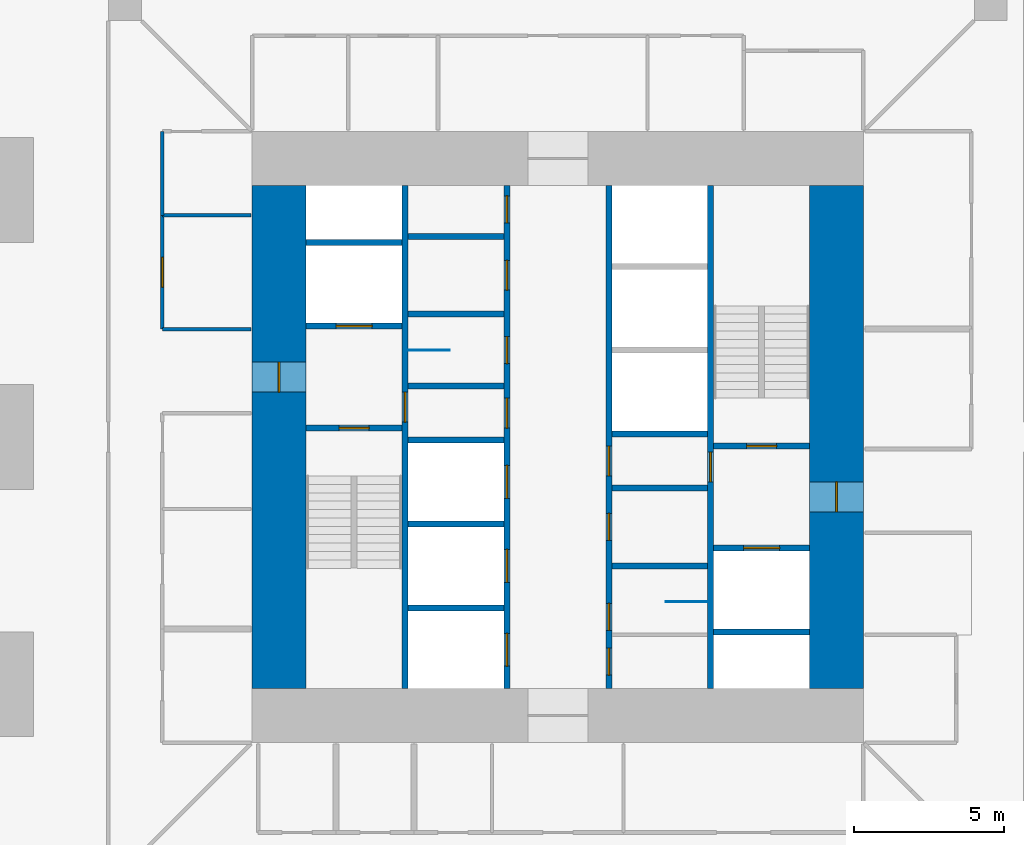
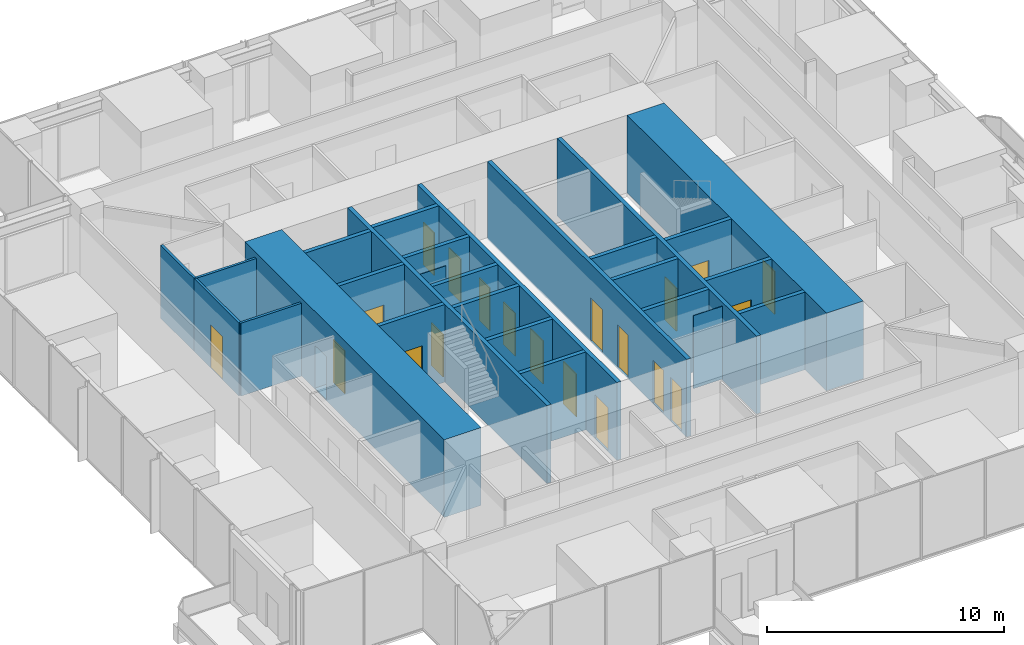
# One storey, part 12 of 17: 27 walls, 20 doors, 20 openings.
"""IFC4 building model written with IfcOpenShell, lengths in metres."""

from ifc_helpers import new_model, si_unit, direction, frame, frame_2d, origin, place, context, subcontext, project, spatial, rectangle, extrude, material, layer, layer_set, type_object, element, fill, save


model = new_model("IFC4")

# Units and contexts
model_context = context("Model", 3, precision=1e-05, world=origin(), true_north=direction((0.0, 1.0)))
body_context = subcontext(model_context, "Body", "Model", "MODEL_VIEW")
ifc_project = project(units=[si_unit("LENGTHUNIT", "METRE"), si_unit("AREAUNIT", "SQUARE_METRE"), si_unit("VOLUMEUNIT", "CUBIC_METRE"), si_unit("PLANEANGLEUNIT", "RADIAN"), si_unit("MASSUNIT", "GRAM", prefix="KILO")], contexts=[model_context])

# Site, building, storey
site_placement = place(None, origin())
site = spatial("IfcSite", under=ifc_project, at=site_placement, CompositionType="ELEMENT")
building_placement = place(site_placement, origin())
building = spatial("IfcBuilding", under=site, at=building_placement, Name="Svetlomir Tower", CompositionType="ELEMENT")
storey_placement = place(building_placement, frame((0.0, 0.0, 62.5)))
storey = spatial("IfcBuildingStorey", under=building, at=storey_placement, Name="L14", CompositionType="ELEMENT", Elevation=62.5)

# Wall, opening, door
ifc_material_1 = material(Name="Concrete C60/75", Category="concrete")
ifc_layer_1 = layer(ifc_material_1, 0.199951171875)
ifc_layer_set_1 = layer_set([ifc_layer_1], Name="Concrete C60/75")
wall_type_1 = type_object("IfcWallType", Name="CORE INNER WALL 200", PredefinedType="SHEAR", material=ifc_layer_set_1)
wall_1_placement = place(storey_placement, frame((15.89990234375, 12.60009765625, -0.050048828125), z_axis=(0.0, 0.0, 1.0), x_axis=(0.0, 1.0, 0.0)))
wall_1 = element("IfcWall", 1, at=wall_1_placement, inside=storey, type_object=wall_type_1, Name="Core inner wall 15.9 L14", PredefinedType="SHEAR", context=body_context, shape_type="SweptSolid", body=[
    extrude(rectangle(XDim=16.7998046875, YDim=0.199951171875, at=frame_2d((8.39990234375, 0.0))), origin(), (0.0, 0.0, 1.0), 4.0),
])
opening_1_placement = place(wall_1_placement, frame((8.89990234375, 0.0, 0.050048828125)))
opening_1 = element("IfcOpeningElement", 2, at=opening_1_placement, cuts=wall_1, Name="Opening DF", PredefinedType="OPENING", context=body_context, shape_type="SweptSolid", body=[
    extrude(rectangle(XDim=1.0, YDim=2.199951171875, at=frame_2d((0.5, 1.10009765625))), frame((0.0, 0.10986328125, 0.0), z_axis=(0.0, -1.0, 0.0), x_axis=(1.0, 0.0, 0.0)), (0.0, 0.0, 1.0), 0.219970703125),
])
ifc_material_2 = material(Name="Steel fire door", Category="steel")
door_type_1 = type_object("IfcDoorType", Name="DOOR DF 1000x2200", OperationType="SINGLE_SWING_LEFT", PredefinedType="DOOR", material=ifc_material_2)
door_1_placement = place(opening_1_placement, origin())
door_1 = element("IfcDoor", 3, at=door_1_placement, inside=storey, type_object=door_type_1, Name="Core corridor west door L14", OperationType="SINGLE_SWING_LEFT", OverallHeight=2.199951171875, OverallWidth=1.0, PredefinedType="DOOR", context=body_context, shape_type="SweptSolid", body=[
    extrude(rectangle(XDim=1.0, YDim=2.199951171875, at=frame_2d((0.5, 1.10009765625))), frame((0.0, 0.02490234375, 0.0), z_axis=(0.0, -1.0, 0.0), x_axis=(1.0, 0.0, 0.0)), (0.0, 0.0, 1.0), 0.050048828125),
])
fill(opening_1, door_1)

# Wall, openings, doors
wall_2_placement = place(storey_placement, frame((19.300048828125, 12.60009765625, -0.050048828125), z_axis=(0.0, 0.0, 1.0), x_axis=(0.0, 1.0, 0.0)))
wall_2 = element("IfcWall", 4, at=wall_2_placement, inside=storey, type_object=wall_type_1, Name="Core inner wall 19.3 L14", PredefinedType="SHEAR", context=body_context, shape_type="SweptSolid", body=[
    extrude(rectangle(XDim=16.7998046875, YDim=0.199951171875, at=frame_2d((8.39990234375, 0.0))), origin(), (0.0, 0.0, 1.0), 4.0),
])
opening_2_placement = place(wall_2_placement, frame((8.699951171875, 0.0, 0.050048828125)))
opening_2 = element("IfcOpeningElement", 5, at=opening_2_placement, cuts=wall_2, Name="Opening DC", PredefinedType="OPENING", context=body_context, shape_type="SweptSolid", body=[
    extrude(rectangle(XDim=1.0, YDim=2.199951171875, at=frame_2d((0.5, 1.10009765625))), frame((0.0, 0.10986328125, 0.0), z_axis=(0.0, -1.0, 0.0), x_axis=(1.0, 0.0, 0.0)), (0.0, 0.0, 1.0), 0.219970703125),
])
opening_3_placement = place(wall_2_placement, frame((10.85009765625, 0.0, 0.050048828125)))
opening_3 = element("IfcOpeningElement", 6, at=opening_3_placement, cuts=wall_2, Name="Opening DW", PredefinedType="OPENING", context=body_context, shape_type="SweptSolid", body=[
    extrude(rectangle(XDim=0.89990234375, YDim=2.199951171875, at=frame_2d((0.449951171875, 1.10009765625))), frame((0.0, 0.10986328125, 0.0), z_axis=(0.0, -1.0, 0.0), x_axis=(1.0, 0.0, 0.0)), (0.0, 0.0, 1.0), 0.219970703125),
])
opening_4_placement = place(wall_2_placement, frame((13.300048828125, 0.0, 0.050048828125)))
opening_4 = element("IfcOpeningElement", 7, at=opening_4_placement, cuts=wall_2, Name="Opening DC", PredefinedType="OPENING", context=body_context, shape_type="SweptSolid", body=[
    extrude(rectangle(XDim=1.0, YDim=2.199951171875, at=frame_2d((0.5, 1.10009765625))), frame((0.0, 0.10986328125, 0.0), z_axis=(0.0, -1.0, 0.0), x_axis=(1.0, 0.0, 0.0)), (0.0, 0.0, 1.0), 0.219970703125),
])
opening_5_placement = place(wall_2_placement, frame((15.550048828125, 0.0, 0.050048828125)))
opening_5 = element("IfcOpeningElement", 8, at=opening_5_placement, cuts=wall_2, Name="Opening DW", PredefinedType="OPENING", context=body_context, shape_type="SweptSolid", body=[
    extrude(rectangle(XDim=0.89990234375, YDim=2.199951171875, at=frame_2d((0.449951171875, 1.10009765625))), frame((0.0, 0.10986328125, 0.0), z_axis=(0.0, -1.0, 0.0), x_axis=(1.0, 0.0, 0.0)), (0.0, 0.0, 1.0), 0.219970703125),
])
opening_6_placement = place(wall_2_placement, frame((0.75, 0.0, 0.050048828125)))
opening_6 = element("IfcOpeningElement", 9, at=opening_6_placement, cuts=wall_2, Name="Opening LD", PredefinedType="OPENING", context=body_context, shape_type="SweptSolid", body=[
    extrude(rectangle(XDim=1.10009765625, YDim=2.199951171875, at=frame_2d((0.550048828125, 1.10009765625))), frame((0.0, 0.10986328125, 0.0), z_axis=(0.0, -1.0, 0.0), x_axis=(1.0, 0.0, 0.0)), (0.0, 0.0, 1.0), 0.219970703125),
])
opening_7_placement = place(wall_2_placement, frame((3.550048828125, 0.0, 0.050048828125)))
opening_7 = element("IfcOpeningElement", 10, at=opening_7_placement, cuts=wall_2, Name="Opening LD", PredefinedType="OPENING", context=body_context, shape_type="SweptSolid", body=[
    extrude(rectangle(XDim=1.10009765625, YDim=2.199951171875, at=frame_2d((0.550048828125, 1.10009765625))), frame((0.0, 0.10986328125, 0.0), z_axis=(0.0, -1.0, 0.0), x_axis=(1.0, 0.0, 0.0)), (0.0, 0.0, 1.0), 0.219970703125),
])
opening_8_placement = place(wall_2_placement, frame((6.35009765625, 0.0, 0.050048828125)))
opening_8 = element("IfcOpeningElement", 11, at=opening_8_placement, cuts=wall_2, Name="Opening LD", PredefinedType="OPENING", context=body_context, shape_type="SweptSolid", body=[
    extrude(rectangle(XDim=1.10009765625, YDim=2.199951171875, at=frame_2d((0.550048828125, 1.10009765625))), frame((0.0, 0.10986328125, 0.0), z_axis=(0.0, -1.0, 0.0), x_axis=(1.0, 0.0, 0.0)), (0.0, 0.0, 1.0), 0.219970703125),
])
ifc_material_3 = material(Name="Timber fire door", Category="wood")
door_type_2 = type_object("IfcDoorType", Name="DOOR DC 1000x2200", OperationType="SINGLE_SWING_LEFT", PredefinedType="DOOR", material=ifc_material_3)
door_2_placement = place(opening_2_placement, origin())
door_2 = element("IfcDoor", 12, at=door_2_placement, inside=storey, type_object=door_type_2, Name="Core corridor west lobby door L14", OperationType="SINGLE_SWING_RIGHT", OverallHeight=2.199951171875, OverallWidth=1.0, PredefinedType="DOOR", context=body_context, shape_type="SweptSolid", body=[
    extrude(rectangle(XDim=1.0, YDim=2.199951171875, at=frame_2d((0.5, 1.10009765625))), frame((0.0, 0.02490234375, 0.0), z_axis=(0.0, -1.0, 0.0), x_axis=(1.0, 0.0, 0.0)), (0.0, 0.0, 1.0), 0.050048828125),
])
fill(opening_2, door_2)
door_3_placement = place(opening_4_placement, origin())
door_3 = element("IfcDoor", 13, at=door_3_placement, inside=storey, type_object=door_type_2, Name="Accessible WC door L14", OperationType="SINGLE_SWING_LEFT", OverallHeight=2.199951171875, OverallWidth=1.0, PredefinedType="DOOR", context=body_context, shape_type="SweptSolid", body=[
    extrude(rectangle(XDim=1.0, YDim=2.199951171875, at=frame_2d((0.5, 1.10009765625))), frame((0.0, 0.02490234375, 0.0), z_axis=(0.0, -1.0, 0.0), x_axis=(1.0, 0.0, 0.0)), (0.0, 0.0, 1.0), 0.050048828125),
])
fill(opening_4, door_3)
ifc_material_4 = material(Name="Timber fire door", Category="wood")
door_type_3 = type_object("IfcDoorType", Name="DOOR DW 900x2200", OperationType="SINGLE_SWING_LEFT", PredefinedType="DOOR", material=ifc_material_4)
door_4_placement = place(opening_3_placement, origin())
door_4 = element("IfcDoor", 14, at=door_4_placement, inside=storey, type_object=door_type_3, Name="Female WC door L14", OperationType="SINGLE_SWING_RIGHT", OverallHeight=2.199951171875, OverallWidth=0.89990234375, PredefinedType="DOOR", context=body_context, shape_type="SweptSolid", body=[
    extrude(rectangle(XDim=0.89990234375, YDim=2.199951171875, at=frame_2d((0.449951171875, 1.10009765625))), frame((0.0, 0.02490234375, 0.0), z_axis=(0.0, -1.0, 0.0), x_axis=(1.0, 0.0, 0.0)), (0.0, 0.0, 1.0), 0.050048828125),
])
fill(opening_3, door_4)
door_5_placement = place(opening_5_placement, origin())
door_5 = element("IfcDoor", 15, at=door_5_placement, inside=storey, type_object=door_type_3, Name="First aid room door L14", OperationType="SINGLE_SWING_RIGHT", OverallHeight=2.199951171875, OverallWidth=0.89990234375, PredefinedType="DOOR", context=body_context, shape_type="SweptSolid", body=[
    extrude(rectangle(XDim=0.89990234375, YDim=2.199951171875, at=frame_2d((0.449951171875, 1.10009765625))), frame((0.0, 0.02490234375, 0.0), z_axis=(0.0, -1.0, 0.0), x_axis=(1.0, 0.0, 0.0)), (0.0, 0.0, 1.0), 0.050048828125),
])
fill(opening_5, door_5)
ifc_material_5 = material(Name="Stainless steel landing door", Category="steel")
door_type_4 = type_object("IfcDoorType", Name="LIFT LANDING DOOR LD 1100x2200", OperationType="DOUBLE_DOOR_SLIDING", PredefinedType="DOOR", material=ifc_material_5)
door_6_placement = place(opening_6_placement, origin())
door_6 = element("IfcDoor", 16, at=door_6_placement, inside=storey, type_object=door_type_4, Name="Landing door lift LA1 L14", OperationType="DOUBLE_DOOR_SLIDING", OverallHeight=2.199951171875, OverallWidth=1.10009765625, PredefinedType="DOOR", context=body_context, shape_type="SweptSolid", body=[
    extrude(rectangle(XDim=1.10009765625, YDim=2.199951171875, at=frame_2d((0.550048828125, 1.10009765625))), frame((0.0, 0.02490234375, 0.0), z_axis=(0.0, -1.0, 0.0), x_axis=(1.0, 0.0, 0.0)), (0.0, 0.0, 1.0), 0.050048828125),
])
fill(opening_6, door_6)
door_7_placement = place(opening_7_placement, origin())
door_7 = element("IfcDoor", 17, at=door_7_placement, inside=storey, type_object=door_type_4, Name="Landing door lift LA2 L14", OperationType="DOUBLE_DOOR_SLIDING", OverallHeight=2.199951171875, OverallWidth=1.10009765625, PredefinedType="DOOR", context=body_context, shape_type="SweptSolid", body=[
    extrude(rectangle(XDim=1.10009765625, YDim=2.199951171875, at=frame_2d((0.550048828125, 1.10009765625))), frame((0.0, 0.02490234375, 0.0), z_axis=(0.0, -1.0, 0.0), x_axis=(1.0, 0.0, 0.0)), (0.0, 0.0, 1.0), 0.050048828125),
])
fill(opening_7, door_7)
door_8_placement = place(opening_8_placement, origin())
door_8 = element("IfcDoor", 18, at=door_8_placement, inside=storey, type_object=door_type_4, Name="Landing door lift LA3 L14", OperationType="DOUBLE_DOOR_SLIDING", OverallHeight=2.199951171875, OverallWidth=1.10009765625, PredefinedType="DOOR", context=body_context, shape_type="SweptSolid", body=[
    extrude(rectangle(XDim=1.10009765625, YDim=2.199951171875, at=frame_2d((0.550048828125, 1.10009765625))), frame((0.0, 0.02490234375, 0.0), z_axis=(0.0, -1.0, 0.0), x_axis=(1.0, 0.0, 0.0)), (0.0, 0.0, 1.0), 0.050048828125),
])
fill(opening_8, door_8)

wall_3_placement = place(storey_placement, frame((22.699951171875, 12.60009765625, -0.050048828125), z_axis=(0.0, 0.0, 1.0), x_axis=(0.0, 1.0, 0.0)))
wall_3 = element("IfcWall", 19, at=wall_3_placement, inside=storey, type_object=wall_type_1, Name="Core inner wall 22.7 L14", PredefinedType="SHEAR", context=body_context, shape_type="SweptSolid", body=[
    extrude(rectangle(XDim=16.7998046875, YDim=0.199951171875, at=frame_2d((8.39990234375, 0.0))), origin(), (0.0, 0.0, 1.0), 4.0),
])
opening_9_placement = place(wall_3_placement, frame((0.449951171875, 0.0, 0.050048828125)))
opening_9 = element("IfcOpeningElement", 20, at=opening_9_placement, cuts=wall_3, Name="Opening DW", PredefinedType="OPENING", context=body_context, shape_type="SweptSolid", body=[
    extrude(rectangle(XDim=0.89990234375, YDim=2.199951171875, at=frame_2d((0.449951171875, 1.10009765625))), frame((0.0, 0.10986328125, 0.0), z_axis=(0.0, -1.0, 0.0), x_axis=(1.0, 0.0, 0.0)), (0.0, 0.0, 1.0), 0.219970703125),
])
opening_10_placement = place(wall_3_placement, frame((7.10009765625, 0.0, 0.050048828125)))
opening_10 = element("IfcOpeningElement", 21, at=opening_10_placement, cuts=wall_3, Name="Opening DC", PredefinedType="OPENING", context=body_context, shape_type="SweptSolid", body=[
    extrude(rectangle(XDim=1.0, YDim=2.199951171875, at=frame_2d((0.5, 1.10009765625))), frame((0.0, 0.10986328125, 0.0), z_axis=(0.0, -1.0, 0.0), x_axis=(1.0, 0.0, 0.0)), (0.0, 0.0, 1.0), 0.219970703125),
])
opening_11_placement = place(wall_3_placement, frame((1.949951171875, 0.0, 0.050048828125)))
opening_11 = element("IfcOpeningElement", 22, at=opening_11_placement, cuts=wall_3, Name="Opening DW", PredefinedType="OPENING", context=body_context, shape_type="SweptSolid", body=[
    extrude(rectangle(XDim=0.89990234375, YDim=2.199951171875, at=frame_2d((0.449951171875, 1.10009765625))), frame((0.0, 0.10986328125, 0.0), z_axis=(0.0, -1.0, 0.0), x_axis=(1.0, 0.0, 0.0)), (0.0, 0.0, 1.0), 0.219970703125),
])
opening_12_placement = place(wall_3_placement, frame((4.949951171875, 0.0, 0.050048828125)))
opening_12 = element("IfcOpeningElement", 23, at=opening_12_placement, cuts=wall_3, Name="Opening DW", PredefinedType="OPENING", context=body_context, shape_type="SweptSolid", body=[
    extrude(rectangle(XDim=0.89990234375, YDim=2.199951171875, at=frame_2d((0.449951171875, 1.10009765625))), frame((0.0, 0.10986328125, 0.0), z_axis=(0.0, -1.0, 0.0), x_axis=(1.0, 0.0, 0.0)), (0.0, 0.0, 1.0), 0.219970703125),
])
door_9_placement = place(opening_10_placement, origin())
door_9 = element("IfcDoor", 24, at=door_9_placement, inside=storey, type_object=door_type_2, Name="Core corridor east lobby door L14", OperationType="SINGLE_SWING_LEFT", OverallHeight=2.199951171875, OverallWidth=1.0, PredefinedType="DOOR", context=body_context, shape_type="SweptSolid", body=[
    extrude(rectangle(XDim=1.0, YDim=2.199951171875, at=frame_2d((0.5, 1.10009765625))), frame((0.0, 0.02490234375, 0.0), z_axis=(0.0, -1.0, 0.0), x_axis=(1.0, 0.0, 0.0)), (0.0, 0.0, 1.0), 0.050048828125),
])
fill(opening_10, door_9)
door_10_placement = place(opening_9_placement, origin())
door_10 = element("IfcDoor", 25, at=door_10_placement, inside=storey, type_object=door_type_3, Name="Floor store door L14", OperationType="SINGLE_SWING_LEFT", OverallHeight=2.199951171875, OverallWidth=0.89990234375, PredefinedType="DOOR", context=body_context, shape_type="SweptSolid", body=[
    extrude(rectangle(XDim=0.89990234375, YDim=2.199951171875, at=frame_2d((0.449951171875, 1.10009765625))), frame((0.0, 0.02490234375, 0.0), z_axis=(0.0, -1.0, 0.0), x_axis=(1.0, 0.0, 0.0)), (0.0, 0.0, 1.0), 0.050048828125),
])
fill(opening_9, door_10)
door_11_placement = place(opening_11_placement, origin())
door_11 = element("IfcDoor", 26, at=door_11_placement, inside=storey, type_object=door_type_3, Name="Male WC door L14", OperationType="SINGLE_SWING_LEFT", OverallHeight=2.199951171875, OverallWidth=0.89990234375, PredefinedType="DOOR", context=body_context, shape_type="SweptSolid", body=[
    extrude(rectangle(XDim=0.89990234375, YDim=2.199951171875, at=frame_2d((0.449951171875, 1.10009765625))), frame((0.0, 0.02490234375, 0.0), z_axis=(0.0, -1.0, 0.0), x_axis=(1.0, 0.0, 0.0)), (0.0, 0.0, 1.0), 0.050048828125),
])
fill(opening_11, door_11)
door_12_placement = place(opening_12_placement, origin())
door_12 = element("IfcDoor", 27, at=door_12_placement, inside=storey, type_object=door_type_3, Name="Comms room door L14", OperationType="SINGLE_SWING_RIGHT", OverallHeight=2.199951171875, OverallWidth=0.89990234375, PredefinedType="DOOR", context=body_context, shape_type="SweptSolid", body=[
    extrude(rectangle(XDim=0.89990234375, YDim=2.199951171875, at=frame_2d((0.449951171875, 1.10009765625))), frame((0.0, 0.02490234375, 0.0), z_axis=(0.0, -1.0, 0.0), x_axis=(1.0, 0.0, 0.0)), (0.0, 0.0, 1.0), 0.050048828125),
])
fill(opening_12, door_12)

# Wall, opening, door
wall_4_placement = place(storey_placement, frame((26.10009765625, 12.60009765625, -0.050048828125), z_axis=(0.0, 0.0, 1.0), x_axis=(0.0, 1.0, 0.0)))
wall_4 = element("IfcWall", 28, at=wall_4_placement, inside=storey, type_object=wall_type_1, Name="Core inner wall 26.1 L14", PredefinedType="SHEAR", context=body_context, shape_type="SweptSolid", body=[
    extrude(rectangle(XDim=16.7998046875, YDim=0.199951171875, at=frame_2d((8.39990234375, 0.0))), origin(), (0.0, 0.0, 1.0), 4.0),
])
opening_13_placement = place(wall_4_placement, frame((6.89990234375, 0.0, 0.050048828125)))
opening_13 = element("IfcOpeningElement", 29, at=opening_13_placement, cuts=wall_4, Name="Opening DF", PredefinedType="OPENING", context=body_context, shape_type="SweptSolid", body=[
    extrude(rectangle(XDim=1.0, YDim=2.199951171875, at=frame_2d((0.5, 1.10009765625))), frame((0.0, 0.10986328125, 0.0), z_axis=(0.0, -1.0, 0.0), x_axis=(1.0, 0.0, 0.0)), (0.0, 0.0, 1.0), 0.219970703125),
])
door_13_placement = place(opening_13_placement, origin())
door_13 = element("IfcDoor", 30, at=door_13_placement, inside=storey, type_object=door_type_1, Name="Core corridor east door L14", OperationType="SINGLE_SWING_LEFT", OverallHeight=2.199951171875, OverallWidth=1.0, PredefinedType="DOOR", context=body_context, shape_type="SweptSolid", body=[
    extrude(rectangle(XDim=1.0, YDim=2.199951171875, at=frame_2d((0.5, 1.10009765625))), frame((0.0, 0.02490234375, 0.0), z_axis=(0.0, -1.0, 0.0), x_axis=(1.0, 0.0, 0.0)), (0.0, 0.0, 1.0), 0.050048828125),
])
fill(opening_13, door_13)

wall_5_placement = place(storey_placement, frame((12.60009765625, 21.300048828125, -0.050048828125), z_axis=(0.0, 0.0, 1.0), x_axis=(1.0, 0.0, 0.0)))
wall_5 = element("IfcWall", 31, at=wall_5_placement, inside=storey, type_object=wall_type_1, Name="Core inner wall 12.6-15.8/21.3 L14", PredefinedType="SHEAR", context=body_context, shape_type="SweptSolid", body=[
    extrude(rectangle(XDim=3.199951171875, YDim=0.199951171875, at=frame_2d((1.60009765625, 0.0))), origin(), (0.0, 0.0, 1.0), 4.0),
])
opening_14_placement = place(wall_5_placement, frame((1.10009765625, 0.0, 0.050048828125)))
opening_14 = element("IfcOpeningElement", 32, at=opening_14_placement, cuts=wall_5, Name="Opening DF", PredefinedType="OPENING", context=body_context, shape_type="SweptSolid", body=[
    extrude(rectangle(XDim=1.0, YDim=2.199951171875, at=frame_2d((0.5, 1.10009765625))), frame((0.0, 0.10986328125, 0.0), z_axis=(0.0, -1.0, 0.0), x_axis=(1.0, 0.0, 0.0)), (0.0, 0.0, 1.0), 0.219970703125),
])
door_14_placement = place(opening_14_placement, origin())
door_14 = element("IfcDoor", 33, at=door_14_placement, inside=storey, type_object=door_type_1, Name="Stair S1 door L14", OperationType="SINGLE_SWING_RIGHT", OverallHeight=2.199951171875, OverallWidth=1.0, PredefinedType="DOOR", context=body_context, shape_type="SweptSolid", body=[
    extrude(rectangle(XDim=1.0, YDim=2.199951171875, at=frame_2d((0.5, 1.10009765625))), frame((0.0, 0.02490234375, 0.0), z_axis=(0.0, -1.0, 0.0), x_axis=(1.0, 0.0, 0.0)), (0.0, 0.0, 1.0), 0.050048828125),
])
fill(opening_14, door_14)

wall_6_placement = place(storey_placement, frame((12.60009765625, 24.699951171875, -0.050048828125), z_axis=(0.0, 0.0, 1.0), x_axis=(1.0, 0.0, 0.0)))
wall_6 = element("IfcWall", 34, at=wall_6_placement, inside=storey, type_object=wall_type_1, Name="Core inner wall 12.6-15.8/24.7 L14", PredefinedType="SHEAR", context=body_context, shape_type="SweptSolid", body=[
    extrude(rectangle(XDim=3.199951171875, YDim=0.199951171875, at=frame_2d((1.60009765625, 0.0))), origin(), (0.0, 0.0, 1.0), 4.0),
])
opening_15_placement = place(wall_6_placement, frame((1.0, 0.0, 0.050048828125)))
opening_15 = element("IfcOpeningElement", 35, at=opening_15_placement, cuts=wall_6, Name="Opening LD3", PredefinedType="OPENING", context=body_context, shape_type="SweptSolid", body=[
    extrude(rectangle(XDim=1.199951171875, YDim=2.199951171875, at=frame_2d((0.60009765625, 1.10009765625))), frame((0.0, 0.10986328125, 0.0), z_axis=(0.0, -1.0, 0.0), x_axis=(1.0, 0.0, 0.0)), (0.0, 0.0, 1.0), 0.219970703125),
])
ifc_material_6 = material(Name="Stainless steel fire-rated landing door", Category="steel")
door_type_5 = type_object("IfcDoorType", Name="FIREFIGHTING LIFT LANDING DOOR LD3 1200x2200", OperationType="DOUBLE_DOOR_SLIDING", PredefinedType="DOOR", material=ifc_material_6)
door_15_placement = place(opening_15_placement, origin())
door_15 = element("IfcDoor", 36, at=door_15_placement, inside=storey, type_object=door_type_5, Name="Landing door lift FL1 L14", OperationType="DOUBLE_DOOR_SLIDING", OverallHeight=2.199951171875, OverallWidth=1.199951171875, PredefinedType="DOOR", context=body_context, shape_type="SweptSolid", body=[
    extrude(rectangle(XDim=1.199951171875, YDim=2.199951171875, at=frame_2d((0.60009765625, 1.10009765625))), frame((0.0, 0.02490234375, 0.0), z_axis=(0.0, -1.0, 0.0), x_axis=(1.0, 0.0, 0.0)), (0.0, 0.0, 1.0), 0.050048828125),
])
fill(opening_15, door_15)

# Walls
for number, where, z_axis, x_axis, name in (
    (37, (12.60009765625, 27.5, -0.050048828125), (0.0, 0.0, 1.0), (1.0, 0.0, 0.0), "Core inner wall 12.6-15.8/27.5 L14"),
    (38, (16.0, 15.300048828125, -0.050048828125), (0.0, 0.0, 1.0), (1.0, 0.0, 0.0), "Core inner wall 16-19.2/15.3 L14"),
    (39, (16.0, 18.10009765625, -0.050048828125), (0.0, 0.0, 1.0), (1.0, 0.0, 0.0), "Core inner wall 16-19.2/18.1 L14"),
    (40, (16.0, 20.89990234375, -0.050048828125), (0.0, 0.0, 1.0), (1.0, 0.0, 0.0), "Core inner wall 16-19.2/20.9 L14"),
    (41, (16.0, 22.699951171875, -0.050048828125), (0.0, 0.0, 1.0), (1.0, 0.0, 0.0), "Core inner wall 16-19.2/22.7 L14"),
    (42, (16.0, 25.10009765625, -0.050048828125), (0.0, 0.0, 1.0), (1.0, 0.0, 0.0), "Core inner wall 16-19.2/25.1 L14"),
    (43, (16.0, 27.699951171875, -0.050048828125), (0.0, 0.0, 1.0), (1.0, 0.0, 0.0), "Core inner wall 16-19.2/27.7 L14"),
    (44, (22.800048828125, 16.699951171875, -0.050048828125), (0.0, 0.0, 1.0), (1.0, 0.0, 0.0), "Core inner wall 22.8-26/16.7 L14"),
    (45, (22.800048828125, 19.300048828125, -0.050048828125), (0.0, 0.0, 1.0), (1.0, 0.0, 0.0), "Core inner wall 22.8-26/19.3 L14"),
    (46, (22.800048828125, 21.10009765625, -0.050048828125), (0.0, 0.0, 1.0), (1.0, 0.0, 0.0), "Core inner wall 22.8-26/21.1 L14"),
    (47, (26.199951171875, 14.5, -0.050048828125), (0.0, 0.0, 1.0), (1.0, 0.0, 0.0), "Core inner wall 26.2-29.4/14.5 L14"),
):
    element("IfcWall", number, at=place(storey_placement, frame(where, z_axis=z_axis, x_axis=x_axis)), inside=storey, type_object=wall_type_1, Name=name, PredefinedType="SHEAR", context=body_context, shape_type="SweptSolid", body=[
        extrude(rectangle(XDim=3.199951171875, YDim=0.199951171875, at=frame_2d((1.60009765625, 0.0))), origin(), (0.0, 0.0, 1.0), 4.0),
    ])

# Wall, opening, door
wall_7_placement = place(storey_placement, frame((26.199951171875, 17.300048828125, -0.050048828125), z_axis=(0.0, 0.0, 1.0), x_axis=(1.0, 0.0, 0.0)))
wall_7 = element("IfcWall", 48, at=wall_7_placement, inside=storey, type_object=wall_type_1, Name="Core inner wall 26.2-29.4/17.3 L14", PredefinedType="SHEAR", context=body_context, shape_type="SweptSolid", body=[
    extrude(rectangle(XDim=3.199951171875, YDim=0.199951171875, at=frame_2d((1.60009765625, 0.0))), origin(), (0.0, 0.0, 1.0), 4.0),
])
opening_16_placement = place(wall_7_placement, frame((1.0, 0.0, 0.050048828125)))
opening_16 = element("IfcOpeningElement", 49, at=opening_16_placement, cuts=wall_7, Name="Opening LD3", PredefinedType="OPENING", context=body_context, shape_type="SweptSolid", body=[
    extrude(rectangle(XDim=1.199951171875, YDim=2.199951171875, at=frame_2d((0.60009765625, 1.10009765625))), frame((0.0, 0.10986328125, 0.0), z_axis=(0.0, -1.0, 0.0), x_axis=(1.0, 0.0, 0.0)), (0.0, 0.0, 1.0), 0.219970703125),
])
door_16_placement = place(opening_16_placement, origin())
door_16 = element("IfcDoor", 50, at=door_16_placement, inside=storey, type_object=door_type_5, Name="Landing door lift FL2 L14", OperationType="DOUBLE_DOOR_SLIDING", OverallHeight=2.199951171875, OverallWidth=1.199951171875, PredefinedType="DOOR", context=body_context, shape_type="SweptSolid", body=[
    extrude(rectangle(XDim=1.199951171875, YDim=2.199951171875, at=frame_2d((0.60009765625, 1.10009765625))), frame((0.0, 0.02490234375, 0.0), z_axis=(0.0, -1.0, 0.0), x_axis=(1.0, 0.0, 0.0)), (0.0, 0.0, 1.0), 0.050048828125),
])
fill(opening_16, door_16)

wall_8_placement = place(storey_placement, frame((26.199951171875, 20.699951171875, -0.050048828125), z_axis=(0.0, 0.0, 1.0), x_axis=(1.0, 0.0, 0.0)))
wall_8 = element("IfcWall", 51, at=wall_8_placement, inside=storey, type_object=wall_type_1, Name="Core inner wall 26.2-29.4/20.7 L14", PredefinedType="SHEAR", context=body_context, shape_type="SweptSolid", body=[
    extrude(rectangle(XDim=3.199951171875, YDim=0.199951171875, at=frame_2d((1.60009765625, 0.0))), origin(), (0.0, 0.0, 1.0), 4.0),
])
opening_17_placement = place(wall_8_placement, frame((1.10009765625, 0.0, 0.050048828125)))
opening_17 = element("IfcOpeningElement", 52, at=opening_17_placement, cuts=wall_8, Name="Opening DF", PredefinedType="OPENING", context=body_context, shape_type="SweptSolid", body=[
    extrude(rectangle(XDim=1.0, YDim=2.199951171875, at=frame_2d((0.5, 1.10009765625))), frame((0.0, 0.10986328125, 0.0), z_axis=(0.0, -1.0, 0.0), x_axis=(1.0, 0.0, 0.0)), (0.0, 0.0, 1.0), 0.219970703125),
])
door_17_placement = place(opening_17_placement, origin())
door_17 = element("IfcDoor", 53, at=door_17_placement, inside=storey, type_object=door_type_1, Name="Stair S2 door L14", OperationType="SINGLE_SWING_LEFT", OverallHeight=2.199951171875, OverallWidth=1.0, PredefinedType="DOOR", context=body_context, shape_type="SweptSolid", body=[
    extrude(rectangle(XDim=1.0, YDim=2.199951171875, at=frame_2d((0.5, 1.10009765625))), frame((0.0, 0.02490234375, 0.0), z_axis=(0.0, -1.0, 0.0), x_axis=(1.0, 0.0, 0.0)), (0.0, 0.0, 1.0), 0.050048828125),
])
fill(opening_17, door_17)

ifc_material_7 = material(Name="Concrete C60/75", Category="concrete")
ifc_layer_2 = layer(ifc_material_7, 1.800048828125)
ifc_layer_set_2 = layer_set([ifc_layer_2], Name="Concrete C60/75")
wall_type_2 = type_object("IfcWallType", Name="CORE WALL 1800", PredefinedType="SHEAR", material=ifc_layer_set_2)
wall_9_placement = place(storey_placement, frame((11.699951171875, 12.60009765625, -0.050048828125), z_axis=(0.0, 0.0, 1.0), x_axis=(0.0, 1.0, 0.0)))
wall_9 = element("IfcWall", 54, at=wall_9_placement, inside=storey, type_object=wall_type_2, Name="Core wall west L14", PredefinedType="SHEAR", context=body_context, shape_type="SweptSolid", body=[
    extrude(rectangle(XDim=16.7998046875, YDim=1.800048828125, at=frame_2d((8.39990234375, 0.0))), origin(), (0.0, 0.0, 1.0), 4.0),
])
opening_18_placement = place(wall_9_placement, frame((9.89990234375, 0.0, 0.050048828125)))
opening_18 = element("IfcOpeningElement", 55, at=opening_18_placement, cuts=wall_9, Name="Opening DF", PredefinedType="OPENING", context=body_context, shape_type="SweptSolid", body=[
    extrude(rectangle(XDim=1.0, YDim=2.199951171875, at=frame_2d((0.5, 1.10009765625))), frame((0.0, 0.91015625, 0.0), z_axis=(0.0, -1.0, 0.0), x_axis=(1.0, 0.0, 0.0)), (0.0, 0.0, 1.0), 1.820068359375),
])
door_18_placement = place(opening_18_placement, origin())
door_18 = element("IfcDoor", 56, at=door_18_placement, inside=storey, type_object=door_type_1, Name="Firefighting lobby west door L14", OperationType="SINGLE_SWING_RIGHT", OverallHeight=2.199951171875, OverallWidth=1.0, PredefinedType="DOOR", context=body_context, shape_type="SweptSolid", body=[
    extrude(rectangle(XDim=1.0, YDim=2.199951171875, at=frame_2d((0.5, 1.10009765625))), frame((0.0, 0.02490234375, 0.0), z_axis=(0.0, -1.0, 0.0), x_axis=(1.0, 0.0, 0.0)), (0.0, 0.0, 1.0), 0.050048828125),
])
fill(opening_18, door_18)

wall_10_placement = place(storey_placement, frame((30.300048828125, 12.60009765625, -0.050048828125), z_axis=(0.0, 0.0, 1.0), x_axis=(0.0, 1.0, 0.0)))
wall_10 = element("IfcWall", 57, at=wall_10_placement, inside=storey, type_object=wall_type_2, Name="Core wall east L14", PredefinedType="SHEAR", context=body_context, shape_type="SweptSolid", body=[
    extrude(rectangle(XDim=16.7998046875, YDim=1.800048828125, at=frame_2d((8.39990234375, 0.0))), origin(), (0.0, 0.0, 1.0), 4.0),
])
opening_19_placement = place(wall_10_placement, frame((5.89990234375, 0.0, 0.050048828125)))
opening_19 = element("IfcOpeningElement", 58, at=opening_19_placement, cuts=wall_10, Name="Opening DF", PredefinedType="OPENING", context=body_context, shape_type="SweptSolid", body=[
    extrude(rectangle(XDim=1.0, YDim=2.199951171875, at=frame_2d((0.5, 1.10009765625))), frame((0.0, 0.91015625, 0.0), z_axis=(0.0, -1.0, 0.0), x_axis=(1.0, 0.0, 0.0)), (0.0, 0.0, 1.0), 1.820068359375),
])
door_19_placement = place(opening_19_placement, origin())
door_19 = element("IfcDoor", 59, at=door_19_placement, inside=storey, type_object=door_type_1, Name="Firefighting lobby east door L14", OperationType="SINGLE_SWING_LEFT", OverallHeight=2.199951171875, OverallWidth=1.0, PredefinedType="DOOR", context=body_context, shape_type="SweptSolid", body=[
    extrude(rectangle(XDim=1.0, YDim=2.199951171875, at=frame_2d((0.5, 1.10009765625))), frame((0.0, 0.02490234375, 0.0), z_axis=(0.0, -1.0, 0.0), x_axis=(1.0, 0.0, 0.0)), (0.0, 0.0, 1.0), 0.050048828125),
])
fill(opening_19, door_19)

ifc_material_8 = material(Name="Gypsum board on steel studs", Category="steel")
ifc_layer_3 = layer(ifc_material_8, 0.1201171875)
ifc_layer_set_3 = layer_set([ifc_layer_3], Name="Gypsum board on steel studs")
wall_type_3 = type_object("IfcWallType", Name="PARTITION 120", PredefinedType="PARTITIONING", material=ifc_layer_set_3)
wall_11_placement = place(storey_placement, frame((7.800048828125, 24.60009765625, 0.0), z_axis=(0.0, 0.0, 1.0), x_axis=(0.0, 1.0, 0.0)))
wall_11 = element("IfcWall", 60, at=wall_11_placement, inside=storey, type_object=wall_type_3, Name="Partition L14", PredefinedType="PARTITIONING", context=body_context, shape_type="SweptSolid", body=[
    extrude(rectangle(XDim=3.7998046875, YDim=0.1201171875, at=frame_2d((1.89990234375, 0.0))), origin(), (0.0, 0.0, 1.0), 3.75),
])
opening_20_placement = place(wall_11_placement, frame((1.39990234375, 0.0, 0.0)))
opening_20 = element("IfcOpeningElement", 61, at=opening_20_placement, cuts=wall_11, Name="Opening DR", PredefinedType="OPENING", context=body_context, shape_type="SweptSolid", body=[
    extrude(rectangle(XDim=1.0, YDim=2.199951171875, at=frame_2d((0.5, 1.10009765625))), frame((0.0, 0.070068359375, 0.0), z_axis=(0.0, -1.0, 0.0), x_axis=(1.0, 0.0, 0.0)), (0.0, 0.0, 1.0), 0.14013671875),
])
ifc_material_9 = material(Name="Timber door, glazed side light", Category="wood")
door_type_6 = type_object("IfcDoorType", Name="DOOR DR 1000x2200", OperationType="SINGLE_SWING_LEFT", PredefinedType="DOOR", material=ifc_material_9)
door_20_placement = place(opening_20_placement, origin())
door_20 = element("IfcDoor", 62, at=door_20_placement, inside=storey, type_object=door_type_6, Name="Payroll and benefits office door L14", OperationType="SINGLE_SWING_LEFT", OverallHeight=2.199951171875, OverallWidth=1.0, PredefinedType="DOOR", context=body_context, shape_type="SweptSolid", body=[
    extrude(rectangle(XDim=1.0, YDim=2.199951171875, at=frame_2d((0.5, 1.10009765625))), frame((0.0, 0.02490234375, 0.0), z_axis=(0.0, -1.0, 0.0), x_axis=(1.0, 0.0, 0.0)), (0.0, 0.0, 1.0), 0.050048828125),
])
fill(opening_20, door_20)

# Walls
wall_12_placement = place(storey_placement, frame((7.800048828125, 24.60009765625, 0.0), z_axis=(0.0, 0.0, 1.0), x_axis=(1.0, 0.0, 0.0)))
element("IfcWall", 63, at=wall_12_placement, inside=storey, type_object=wall_type_3, Name="Partition L14", PredefinedType="PARTITIONING", context=body_context, shape_type="SweptSolid", body=[
    extrude(rectangle(XDim=2.949951171875, YDim=0.1201171875, at=frame_2d((1.47509765625, 0.0))), origin(), (0.0, 0.0, 1.0), 3.75),
])
wall_13_placement = place(storey_placement, frame((7.800048828125, 28.39990234375, 0.0), z_axis=(0.0, 0.0, 1.0), x_axis=(0.0, 1.0, 0.0)))
element("IfcWall", 64, at=wall_13_placement, inside=storey, type_object=wall_type_3, Name="Partition L14", PredefinedType="PARTITIONING", context=body_context, shape_type="SweptSolid", body=[
    extrude(rectangle(XDim=2.800048828125, YDim=0.1201171875, at=frame_2d((1.39990234375, 0.0))), origin(), (0.0, 0.0, 1.0), 3.75),
])
wall_14_placement = place(storey_placement, frame((7.800048828125, 28.39990234375, 0.0), z_axis=(0.0, 0.0, 1.0), x_axis=(1.0, 0.0, 0.0)))
element("IfcWall", 65, at=wall_14_placement, inside=storey, type_object=wall_type_3, Name="Partition L14", PredefinedType="PARTITIONING", context=body_context, shape_type="SweptSolid", body=[
    extrude(rectangle(XDim=2.949951171875, YDim=0.1201171875, at=frame_2d((1.47509765625, 0.0))), origin(), (0.0, 0.0, 1.0), 3.75),
])
ifc_material_10 = material(Name="Compact laminate panel", Category="plastic")
ifc_layer_4 = layer(ifc_material_10, 0.030029296875)
ifc_layer_set_4 = layer_set([ifc_layer_4], Name="Compact laminate panel")
wall_type_4 = type_object("IfcWallType", Name="WC CUBICLE PARTITION 30", PredefinedType="PARTITIONING", material=ifc_layer_set_4)
for number, where, z_axis, x_axis, name in (
    (66, (24.60009765625, 15.5, 0.0), (0.0, 0.0, 1.0), (1.0, 0.0, 0.0), "WC cubicle partition L14"),
    (67, (16.0, 23.89990234375, 0.0), (0.0, 0.0, 1.0), (1.0, 0.0, 0.0), "WC cubicle partition L14"),
):
    element("IfcWall", number, at=place(storey_placement, frame(where, z_axis=z_axis, x_axis=x_axis)), inside=storey, type_object=wall_type_4, Name=name, PredefinedType="PARTITIONING", context=body_context, shape_type="SweptSolid", body=[
        extrude(rectangle(XDim=1.39990234375, YDim=0.030029296875, at=frame_2d((0.699951171875, 0.0))), origin(), (0.0, 0.0, 1.0), 3.75),
    ])

save(model, "model.ifc")
